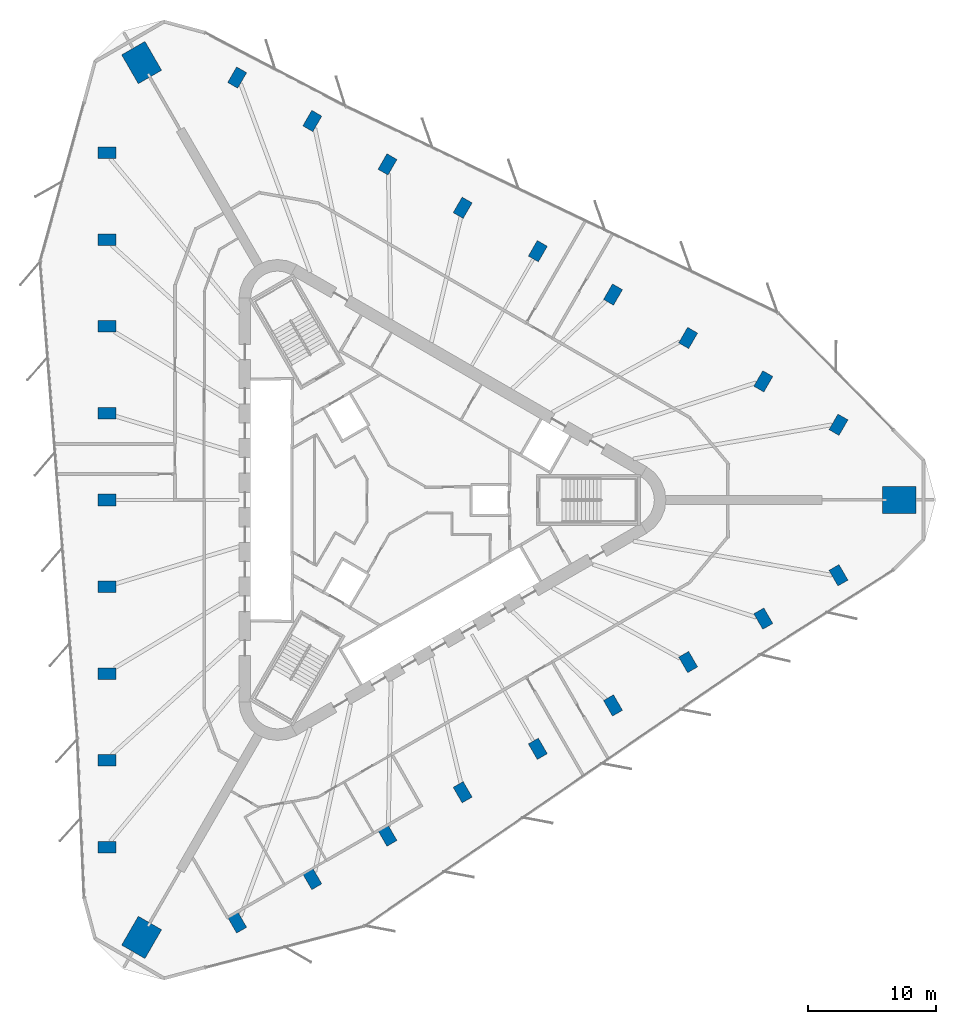
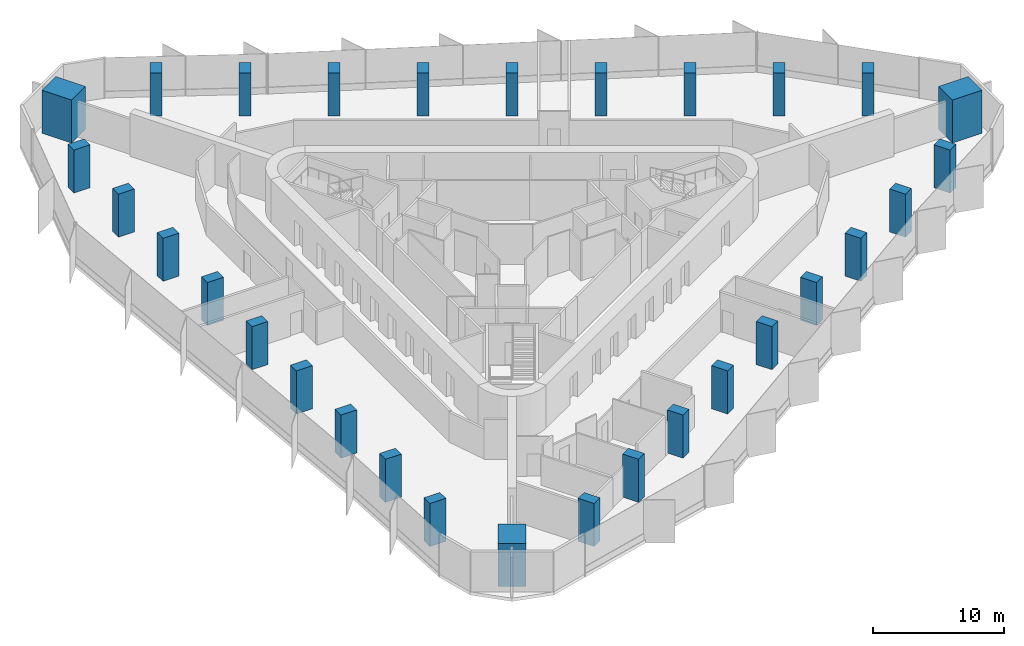
# One storey, part 1 of 13: 30 columns.
"""IFC4 building model written with IfcOpenShell, lengths in metres."""

from ifc_helpers import new_model, si_unit, direction, frame, origin, origin_2d, place, context, subcontext, project, spatial, rectangle, extrude, material, material_profile, profile_set, type_object, element, save


model = new_model("IFC4")

# Units and contexts
model_context = context("Model", 3, precision=1e-05, world=origin(), true_north=direction((0.0, 1.0)))
body_context = subcontext(model_context, "Body", "Model", "MODEL_VIEW")
ifc_project = project(units=[si_unit("LENGTHUNIT", "METRE"), si_unit("AREAUNIT", "SQUARE_METRE"), si_unit("VOLUMEUNIT", "CUBIC_METRE"), si_unit("PLANEANGLEUNIT", "RADIAN"), si_unit("MASSUNIT", "GRAM", prefix="KILO")], contexts=[model_context])

# Site, building, storey
site_placement = place(None, origin())
site = spatial("IfcSite", under=ifc_project, at=site_placement, CompositionType="ELEMENT")
building_placement = place(site_placement, origin())
building = spatial("IfcBuilding", under=site, at=building_placement, Name="Tanit Gate Tower", CompositionType="ELEMENT")
storey_placement = place(building_placement, frame((0.0, 0.0, 181.199951171875)))
storey = spatial("IfcBuildingStorey", under=building, at=storey_placement, Name="L39", CompositionType="ELEMENT", Elevation=181.199951171875)

# Columns
ifc_material_1 = material(Name="Concrete C60/75", Category="concrete")
ifc_material_profile_1 = material_profile(ifc_material_1, rectangle(XDim=2.60009765625, YDim=2.10009765625, at=origin_2d()), Name="RC 2600x2100")
ifc_profile_set_1 = profile_set([ifc_material_profile_1], Name="Concrete C60/75")
column_type_1 = type_object("IfcColumnType", Name="MEGA COLUMN 2600x2100 C60/75", PredefinedType="COLUMN", material=ifc_profile_set_1)
for number, where, z_axis, x_axis, name in (
    (1, (39.40234375, 0.0, 0.0), (0.0, 0.0, 1.0), (1.0, 0.0, 0.0), "MEGA COLUMN"),
    (2, (-19.701171875, 34.12353515625, 0.0), (0.0, 0.0, 1.0), (-0.5, 0.866025403784, 0.0), "MEGA COLUMN"),
    (3, (-19.701171875, -34.12353515625, 0.0), (0.0, 0.0, 1.0), (-0.5, -0.866025403784, 0.0), "MEGA COLUMN"),
):
    element("IfcColumn", number, at=place(storey_placement, frame(where, z_axis=z_axis, x_axis=x_axis)), inside=storey, type_object=column_type_1, Name=name, PredefinedType="COLUMN", context=body_context, shape_type="SweptSolid", body=[
        extrude(rectangle(XDim=2.60009765625, YDim=2.10009765625, at=origin_2d()), origin(), (0.0, 0.0, 1.0), 4.0),
    ])
ifc_material_2 = material(Name="Concrete C50/60", Category="concrete")
ifc_material_profile_2 = material_profile(ifc_material_2, rectangle(XDim=1.39990234375, YDim=0.89990234375, at=origin_2d()), Name="RC 1400x900")
ifc_profile_set_2 = profile_set([ifc_material_profile_2], Name="Concrete C50/60")
column_type_2 = type_object("IfcColumnType", Name="PERIMETER COLUMN 1400x900 C50/60", PredefinedType="COLUMN", material=ifc_profile_set_2)
for number, where, z_axis, x_axis, name in (
    (4, (-22.414794921875, 27.083984375, 0.0), (0.0, 0.0, 1.0), (-1.0, 0.0, 0.0), "PERIMETER COLUMN"),
    (5, (-22.414794921875, 20.31298828125, 0.0), (0.0, 0.0, 1.0), (-1.0, 0.0, 0.0), "PERIMETER COLUMN"),
    (6, (-22.414794921875, 13.5419921875, 0.0), (0.0, 0.0, 1.0), (-1.0, 0.0, 0.0), "PERIMETER COLUMN"),
    (7, (-22.414794921875, 6.77099609375, 0.0), (0.0, 0.0, 1.0), (-1.0, 0.0, 0.0), "PERIMETER COLUMN"),
    (8, (-22.414794921875, 0.0, 0.0), (0.0, 0.0, 1.0), (-1.0, 0.0, 0.0), "PERIMETER COLUMN"),
    (9, (-22.414794921875, -6.77099609375, 0.0), (0.0, 0.0, 1.0), (-1.0, 0.0, 0.0), "PERIMETER COLUMN"),
    (10, (-22.414794921875, -13.5419921875, 0.0), (0.0, 0.0, 1.0), (-1.0, 0.0, 0.0), "PERIMETER COLUMN"),
    (11, (-22.414794921875, -20.31298828125, 0.0), (0.0, 0.0, 1.0), (-1.0, 0.0, 0.0), "PERIMETER COLUMN"),
    (12, (-22.414794921875, -27.083984375, 0.0), (0.0, 0.0, 1.0), (-1.0, 0.0, 0.0), "PERIMETER COLUMN"),
    (13, (34.66259765625, 5.86962890625, 0.0), (0.0, 0.0, 1.0), (0.5, 0.866025403784, 0.0), "PERIMETER COLUMN"),
    (14, (28.798828125, 9.255126953125, 0.0), (0.0, 0.0, 1.0), (0.5, 0.866025403784, 0.0), "PERIMETER COLUMN"),
    (15, (22.93505859375, 12.640625, 0.0), (0.0, 0.0, 1.0), (0.5, 0.866025403784, 0.0), "PERIMETER COLUMN"),
    (16, (17.0712890625, 16.026123046875, 0.0), (0.0, 0.0, 1.0), (0.5, 0.866025403784, 0.0), "PERIMETER COLUMN"),
    (17, (11.207275390625, 19.41162109375, 0.0), (0.0, 0.0, 1.0), (0.5, 0.866025403784, 0.0), "PERIMETER COLUMN"),
    (18, (5.343505859375, 22.797119140625, 0.0), (0.0, 0.0, 1.0), (0.5, 0.866025403784, 0.0), "PERIMETER COLUMN"),
    (19, (-0.520263671875, 26.1826171875, 0.0), (0.0, 0.0, 1.0), (0.5, 0.866025403784, 0.0), "PERIMETER COLUMN"),
    (20, (-6.38427734375, 29.568115234375, 0.0), (0.0, 0.0, 1.0), (0.5, 0.866025403784, 0.0), "PERIMETER COLUMN"),
    (21, (-12.248046875, 32.95361328125, 0.0), (0.0, 0.0, 1.0), (0.5, 0.866025403784, 0.0), "PERIMETER COLUMN"),
    (22, (-12.248046875, -32.95361328125, 0.0), (0.0, 0.0, 1.0), (0.5, -0.866025403784, 0.0), "PERIMETER COLUMN"),
    (23, (-6.38427734375, -29.568115234375, 0.0), (0.0, 0.0, 1.0), (0.5, -0.866025403784, 0.0), "PERIMETER COLUMN"),
    (24, (-0.520263671875, -26.1826171875, 0.0), (0.0, 0.0, 1.0), (0.5, -0.866025403784, 0.0), "PERIMETER COLUMN"),
    (25, (5.343505859375, -22.797119140625, 0.0), (0.0, 0.0, 1.0), (0.5, -0.866025403784, 0.0), "PERIMETER COLUMN"),
    (26, (11.207275390625, -19.41162109375, 0.0), (0.0, 0.0, 1.0), (0.5, -0.866025403784, 0.0), "PERIMETER COLUMN"),
    (27, (17.0712890625, -16.026123046875, 0.0), (0.0, 0.0, 1.0), (0.5, -0.866025403784, 0.0), "PERIMETER COLUMN"),
    (28, (22.93505859375, -12.640625, 0.0), (0.0, 0.0, 1.0), (0.5, -0.866025403784, 0.0), "PERIMETER COLUMN"),
    (29, (28.798828125, -9.255126953125, 0.0), (0.0, 0.0, 1.0), (0.5, -0.866025403784, 0.0), "PERIMETER COLUMN"),
    (30, (34.66259765625, -5.86962890625, 0.0), (0.0, 0.0, 1.0), (0.5, -0.866025403784, 0.0), "PERIMETER COLUMN"),
):
    element("IfcColumn", number, at=place(storey_placement, frame(where, z_axis=z_axis, x_axis=x_axis)), inside=storey, type_object=column_type_2, Name=name, PredefinedType="COLUMN", context=body_context, shape_type="SweptSolid", body=[
        extrude(rectangle(XDim=1.39990234375, YDim=0.89990234375, at=origin_2d()), origin(), (0.0, 0.0, 1.0), 4.0),
    ])

save(model, "model.ifc")
